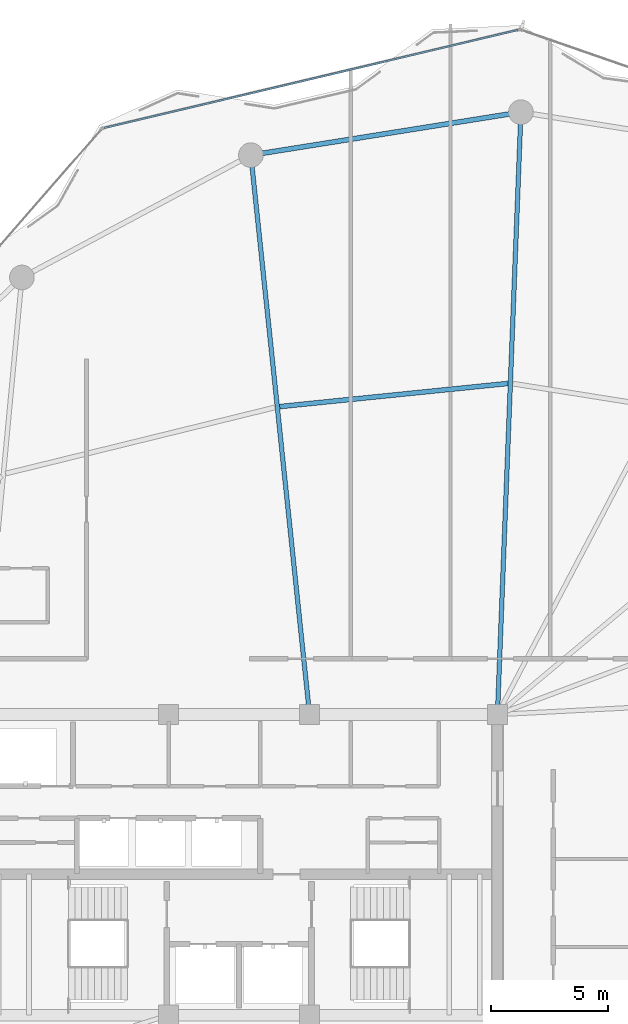
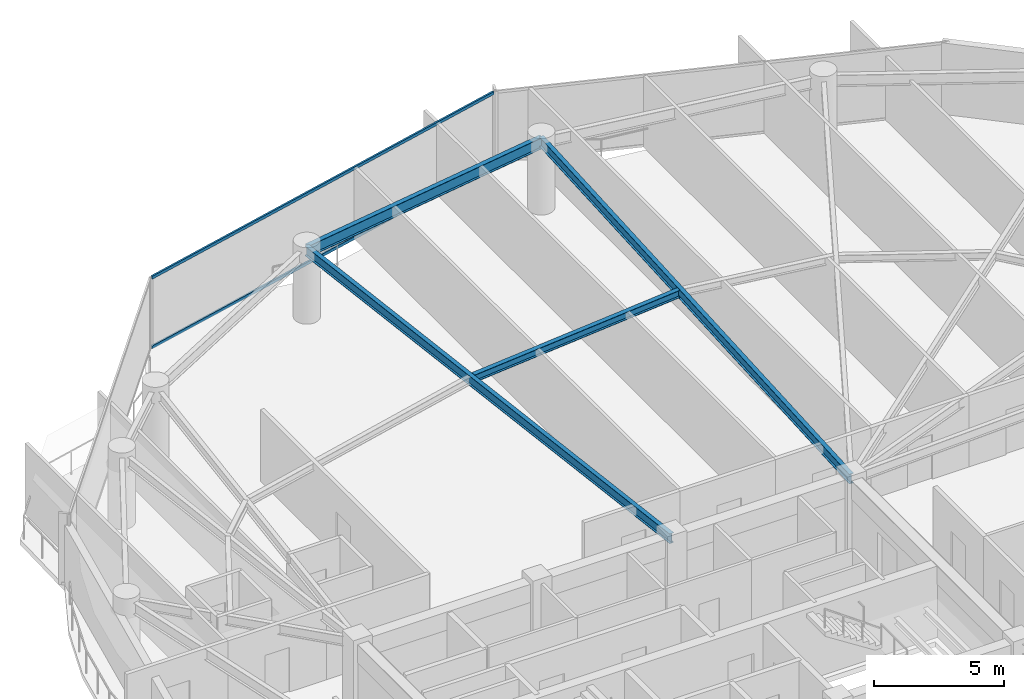
# One storey, part 18 of 29: 4 beams, 2 members, 1 element without a shape of its own.
"""IFC4 building model written with IfcOpenShell, lengths in metres."""

from ifc_helpers import new_model, si_unit, direction, frame, origin, origin_2d, place, context, subcontext, project, spatial, hollow_rectangle, i_section, extrude, material, layer, layer_set, material_profile, profile_set, type_object, element, aggregate, save


model = new_model("IFC4")

# Units and contexts
model_context = context("Model", 3, precision=1e-05, world=origin(), true_north=direction((0.0, 1.0)))
body_context = subcontext(model_context, "Body", "Model", "MODEL_VIEW")
ifc_project = project(units=[si_unit("LENGTHUNIT", "METRE"), si_unit("AREAUNIT", "SQUARE_METRE"), si_unit("VOLUMEUNIT", "CUBIC_METRE"), si_unit("PLANEANGLEUNIT", "RADIAN"), si_unit("MASSUNIT", "GRAM", prefix="KILO")], contexts=[model_context])

# Site, building, storey
site_placement = place(None, origin())
site = spatial("IfcSite", under=ifc_project, at=site_placement, CompositionType="ELEMENT")
building_placement = place(site_placement, origin())
building = spatial("IfcBuilding", under=site, at=building_placement, Name="Kazevale Care Tower and Concert Hall", CompositionType="ELEMENT")
storey_placement = place(building_placement, frame((0.0, 0.0, 224.39990234375)))
storey = spatial("IfcBuildingStorey", under=building, at=storey_placement, Name="L59", CompositionType="ELEMENT", Elevation=224.39990234375)

# Curtain wall, members
ifc_material_1 = material(Name="Aluminium 6063-T6 and Low-E Glass", Category="aluminium")
ifc_layer = layer(ifc_material_1, 0.179931640625)
ifc_layer_set = layer_set([ifc_layer], Name="Aluminium 6063-T6 and Low-E Glass")
curtain_wall_type = type_object("IfcCurtainWallType", Name="Waist & Upper Residential Curtain Wall CW-4", PredefinedType="NOTDEFINED", material=ifc_layer_set)
curtain_wall_placement = place(storey_placement, origin())
curtain_wall = element("IfcCurtainWall", 1, at=curtain_wall_placement, inside=storey, type_object=curtain_wall_type, Name="cw:L59:f15", PredefinedType="NOTDEFINED")
ifc_material_2 = material(Name="Aluminium 6063-T6", Category="aluminium")
ifc_material_profile_1 = material_profile(ifc_material_2, hollow_rectangle(XDim=0.080078125, YDim=0.139892578125, WallThickness=0.00390625, at=origin_2d()), Name="ALU80x140x4")
ifc_profile_set_1 = profile_set([ifc_material_profile_1], Name="Aluminium 6063-T6")
member_type = type_object("IfcMemberType", Name="CW-4 Transom ALU80x140x4", PredefinedType="USERDEFINED", material=ifc_profile_set_1)
member_1_placement = place(storey_placement, frame((27.249755859375, 61.37548828125, 0.0400390625), z_axis=(0.973087923042, 0.2304341425, 0.0), x_axis=(-0.2304341425, 0.973087923042, 0.0)))
member_1 = element("IfcMember", 2, at=member_1_placement, type_object=member_type, Name="CW-4 transom 1.1", ObjectType="TRANSOM", PredefinedType="USERDEFINED", context=body_context, shape_type="SweptSolid", body=[
    extrude(hollow_rectangle(XDim=0.080078125, YDim=0.139892578125, WallThickness=0.00390625, at=origin_2d()), origin(), (0.0, 0.0, 1.0), 18.114013671875),
])
member_2_placement = place(storey_placement, frame((27.249755859375, 61.37548828125, 3.320068359375), z_axis=(0.973087923042, 0.2304341425, 0.0), x_axis=(-0.2304341425, 0.973087923042, 0.0)))
member_2 = element("IfcMember", 3, at=member_2_placement, type_object=member_type, Name="CW-4 transom 1.2", ObjectType="TRANSOM", PredefinedType="USERDEFINED", context=body_context, shape_type="SweptSolid", body=[
    extrude(hollow_rectangle(XDim=0.080078125, YDim=0.139892578125, WallThickness=0.00390625, at=origin_2d()), origin(), (0.0, 0.0, 1.0), 18.114013671875),
])
aggregate(curtain_wall, [member_1, member_2])

# Beams
ifc_material_3 = material(Name="Steel ASTM A572 Gr 50", Category="steel")
ifc_material_profile_2 = material_profile(ifc_material_3, i_section(OverallWidth=0.19091796875, OverallDepth=0.4599609375, WebThickness=0.010009765625, FlangeThickness=0.01611328125, at=origin_2d()), Name="W460x82")
ifc_profile_set_2 = profile_set([ifc_material_profile_2], Name="Steel ASTM A572 Gr 50")
beam_type_1 = type_object("IfcBeamType", Name="Radial Floor Beam W460x82", PredefinedType="BEAM", material=ifc_profile_set_2)
beam_1_placement = place(storey_placement, frame((44.0, 36.39990234375, 3.130126953125), z_axis=(0.03895653799, 0.999240905962, 0.0), x_axis=(-0.999240905962, 0.03895653799, 0.0)))
element("IfcBeam", 4, at=beam_1_placement, inside=storey, type_object=beam_type_1, Name="beam:L59:rad:05", PredefinedType="BEAM", context=body_context, shape_type="SweptSolid", body=[
    extrude(i_section(OverallWidth=0.19091796875, OverallDepth=0.4599609375, WebThickness=0.010009765625, FlangeThickness=0.01611328125, at=origin_2d()), origin(), (0.0, 0.0, 1.0), 25.669677734375),
])
beam_2_placement = place(storey_placement, frame((36.0, 36.39990234375, 3.130126953125), z_axis=(-0.104380207012, 0.994537466556, 0.0), x_axis=(-0.994537466556, -0.104380207012, 0.0)))
element("IfcBeam", 5, at=beam_2_placement, inside=storey, type_object=beam_type_1, Name="beam:L59:rad:06", PredefinedType="BEAM", context=body_context, shape_type="SweptSolid", body=[
    extrude(i_section(OverallWidth=0.19091796875, OverallDepth=0.4599609375, WebThickness=0.010009765625, FlangeThickness=0.01611328125, at=origin_2d()), origin(), (0.0, 0.0, 1.0), 23.950927734375),
])
ifc_material_profile_3 = material_profile(ifc_material_3, i_section(OverallWidth=0.205078125, OverallDepth=0.35400390625, WebThickness=0.009521484375, FlangeThickness=0.016845703125, at=origin_2d()), Name="W360x79")
ifc_profile_set_3 = profile_set([ifc_material_profile_3], Name="Steel ASTM A572 Gr 50")
beam_type_2 = type_object("IfcBeamType", Name="Secondary Floor Joist W360x79", PredefinedType="JOIST", material=ifc_profile_set_3)
beam_3_placement = place(storey_placement, frame((44.446044921875, 50.4970703125, 3.18310546875), z_axis=(-0.994900388447, -0.10086236696, 0.0), x_axis=(0.10086236696, -0.994900388447, 0.0)))
element("IfcBeam", 6, at=beam_3_placement, inside=storey, type_object=beam_type_2, Name="beam:L59:joist:05", PredefinedType="JOIST", context=body_context, shape_type="SweptSolid", body=[
    extrude(i_section(OverallWidth=0.205078125, OverallDepth=0.35400390625, WebThickness=0.009521484375, FlangeThickness=0.016845703125, at=origin_2d()), origin(), (0.0, 0.0, 1.0), 9.766845703125),
])
ifc_material_profile_4 = material_profile(ifc_material_3, i_section(OverallWidth=0.208984375, OverallDepth=0.532958984375, WebThickness=0.01025390625, FlangeThickness=0.015625, at=origin_2d()), Name="W530x92")
ifc_profile_set_4 = profile_set([ifc_material_profile_4], Name="Steel ASTM A572 Gr 50")
beam_type_3 = type_object("IfcBeamType", Name="Upper Ring Beam W530x92", PredefinedType="BEAM", material=ifc_profile_set_4)
beam_4_placement = place(storey_placement, frame((45.0, 62.050048828125, 3.093505859375), z_axis=(-0.987573207584, -0.15715966296, 0.0), x_axis=(0.15715966296, -0.987573207584, 0.0)))
element("IfcBeam", 7, at=beam_4_placement, inside=storey, type_object=beam_type_3, Name="beam:L59:ring:05", PredefinedType="BEAM", context=body_context, shape_type="SweptSolid", body=[
    extrude(i_section(OverallWidth=0.208984375, OverallDepth=0.532958984375, WebThickness=0.01025390625, FlangeThickness=0.015625, at=origin_2d()), origin(), (0.0, 0.0, 1.0), 11.644775390625),
])

save(model, "model.ifc")
